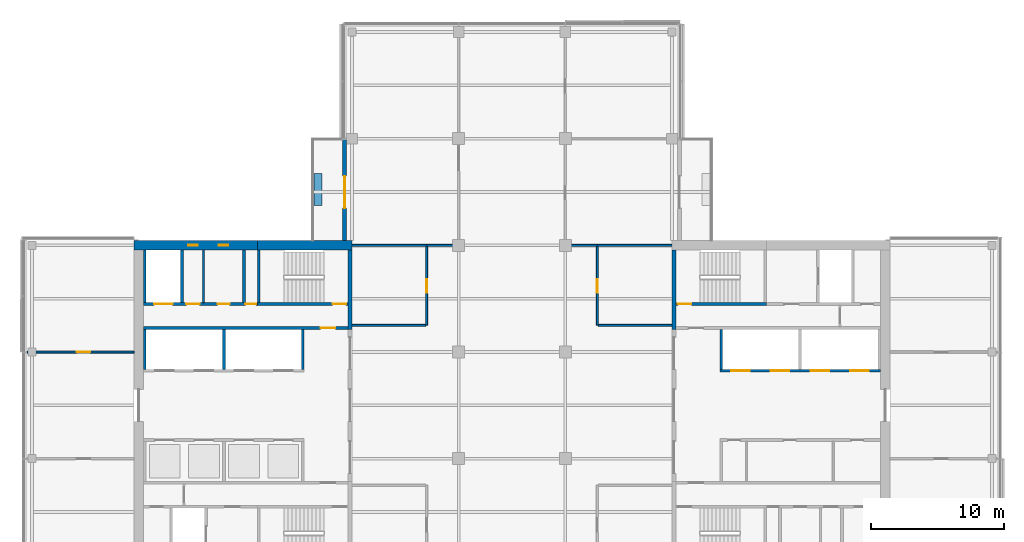
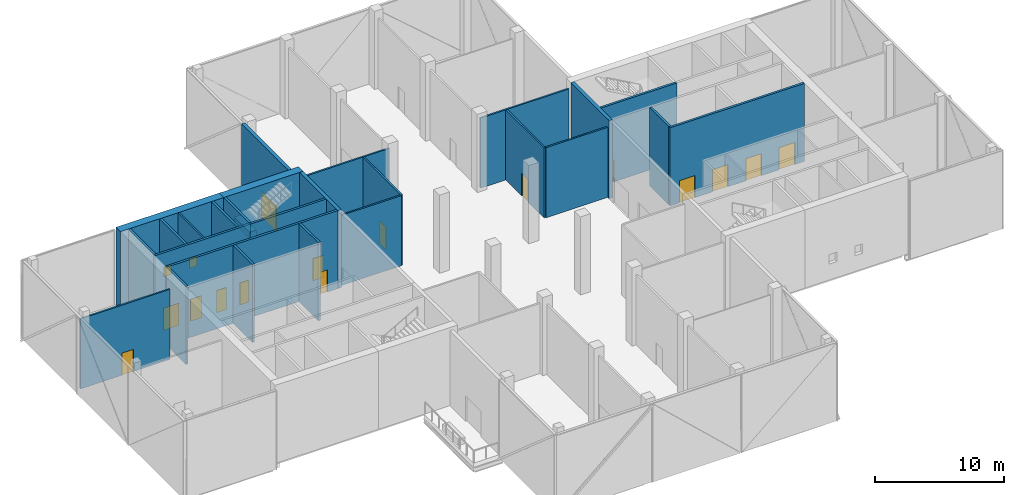
# One storey, part 12 of 20: 27 walls, 15 doors, 2 windows, 17 openings.
"""IFC4 building model written with IfcOpenShell, lengths in metres."""

from ifc_helpers import new_model, si_unit, direction, frame, frame_2d, origin, place, context, subcontext, project, spatial, rectangle, extrude, material, layer, layer_set, constituent, constituent_set, type_object, element, fill, save


model = new_model("IFC4")

# Units and contexts
model_context = context("Model", 3, precision=1e-05, world=origin(), true_north=direction((0.0, 1.0)))
body_context = subcontext(model_context, "Body", "Model", "MODEL_VIEW")
ifc_project = project(units=[si_unit("LENGTHUNIT", "METRE"), si_unit("AREAUNIT", "SQUARE_METRE"), si_unit("VOLUMEUNIT", "CUBIC_METRE"), si_unit("PLANEANGLEUNIT", "RADIAN"), si_unit("MASSUNIT", "GRAM", prefix="KILO")], contexts=[model_context])

# Site, building, storey
site_placement = place(None, origin())
site = spatial("IfcSite", under=ifc_project, at=site_placement, CompositionType="ELEMENT")
building_placement = place(site_placement, origin())
building = spatial("IfcBuilding", under=site, at=building_placement, Name="Crosswind Convention Tower", CompositionType="ELEMENT")
storey_placement = place(building_placement, frame((0.0, 0.0, 171.5)))
storey = spatial("IfcBuildingStorey", under=building, at=storey_placement, Name="L36", CompositionType="ELEMENT", Elevation=171.5)

# Walls
ifc_material_1 = material(Name="Concrete blockwork", Category="masonry")
ifc_layer_1 = layer(ifc_material_1, 0.199951171875)
ifc_layer_set_1 = layer_set([ifc_layer_1], Name="Blockwork partition wall 200")
wall_type_1 = type_object("IfcWallType", Name="Blockwork partition wall 200", PredefinedType="PARTITIONING", material=ifc_layer_set_1)
wall_1_placement = place(storey_placement, frame((104.89990234375, 111.64990234375, 0.0), z_axis=(0.0, 0.0, 1.0), x_axis=(0.0, -1.0, 0.0)))
element("IfcWall", 1, at=wall_1_placement, inside=storey, type_object=wall_type_1, Name="Wall MRSE W L36", PredefinedType="PARTITIONING", context=body_context, shape_type="SweptSolid", body=[
    extrude(rectangle(XDim=3.949951171875, YDim=0.199951171875, at=frame_2d((1.97509765625, 0.0))), origin(), (0.0, 0.0, 1.0), 7.39990234375),
])
ifc_material_2 = material(Name="Concrete C50/60", Category="concrete")
ifc_layer_2 = layer(ifc_material_2, 0.300048828125)
ifc_layer_set_2 = layer_set([ifc_layer_2], Name="Concrete C50/60")
wall_type_2 = type_object("IfcWallType", Name="Concrete inner core wall 300", PredefinedType="SHEAR", material=ifc_layer_set_2)
for number, where, z_axis, x_axis, name in (
    (2, (137.14990234375, 105.699951171875, 0.0), (0.0, 0.0, 1.0), (0.0, 1.0, 0.0), "Wall EP E L36"),
    (3, (112.85009765625, 111.64990234375, 0.0), (0.0, 0.0, 1.0), (0.0, -1.0, 0.0), "Wall EM W L36"),
):
    element("IfcWall", number, at=place(storey_placement, frame(where, z_axis=z_axis, x_axis=x_axis)), inside=storey, type_object=wall_type_2, Name=name, PredefinedType="SHEAR", context=body_context, shape_type="SweptSolid", body=[
        extrude(rectangle(XDim=5.949951171875, YDim=0.300048828125, at=frame_2d((2.97509765625, 0.0))), origin(), (0.0, 0.0, 1.0), 7.39990234375),
    ])
ifc_layer_3 = layer(ifc_material_2, 0.199951171875)
ifc_layer_set_3 = layer_set([ifc_layer_3], Name="Concrete C50/60")
wall_type_3 = type_object("IfcWallType", Name="Concrete shaft and stair wall 200", PredefinedType="SHEAR", material=ifc_layer_set_3)
wall_2_placement = place(storey_placement, frame((140.699951171875, 102.699951171875, 0.0), z_axis=(0.0, 0.0, 1.0), x_axis=(0.0, 1.0, 0.0)))
element("IfcWall", 4, at=wall_2_placement, inside=storey, type_object=wall_type_3, Name="Wall RPEND E L36", PredefinedType="SHEAR", context=body_context, shape_type="SweptSolid", body=[
    extrude(rectangle(XDim=3.0, YDim=0.199951171875, at=frame_2d((1.5, 0.0))), origin(), (0.0, 0.0, 1.0), 7.39990234375),
])

# Wall, openings, doors
wall_3_placement = place(storey_placement, frame((140.60009765625, 102.60009765625, 0.0), z_axis=(0.0, 0.0, 1.0), x_axis=(1.0, 0.0, 0.0)))
wall_3 = element("IfcWall", 5, at=wall_3_placement, inside=storey, type_object=wall_type_3, Name="Wall RPFRONT E L36", PredefinedType="SHEAR", context=body_context, shape_type="SweptSolid", body=[
    extrude(rectangle(XDim=12.0498046875, YDim=0.199951171875, at=frame_2d((6.02490234375, 0.0))), origin(), (0.0, 0.0, 1.0), 7.39990234375),
])
opening_1_placement = place(wall_3_placement, frame((0.85009765625, 0.0, 0.0)))
opening_1 = element("IfcOpeningElement", 6, at=opening_1_placement, cuts=wall_3, Name="Opening LD2", PredefinedType="OPENING", context=body_context, shape_type="SweptSolid", body=[
    extrude(rectangle(XDim=1.39990234375, YDim=2.10009765625, at=frame_2d((0.699951171875, 1.050048828125))), frame((0.0, 0.10986328125, 0.0), z_axis=(0.0, -1.0, 0.0), x_axis=(1.0, 0.0, 0.0)), (0.0, 0.0, 1.0), 0.219970703125),
])
opening_2_placement = place(wall_3_placement, frame((3.800048828125, 0.0, 0.0)))
opening_2 = element("IfcOpeningElement", 7, at=opening_2_placement, cuts=wall_3, Name="Opening LD2", PredefinedType="OPENING", context=body_context, shape_type="SweptSolid", body=[
    extrude(rectangle(XDim=1.39990234375, YDim=2.10009765625, at=frame_2d((0.699951171875, 1.050048828125))), frame((0.0, 0.10986328125, 0.0), z_axis=(0.0, -1.0, 0.0), x_axis=(1.0, 0.0, 0.0)), (0.0, 0.0, 1.0), 0.219970703125),
])
opening_3_placement = place(wall_3_placement, frame((6.800048828125, 0.0, 0.0)))
opening_3 = element("IfcOpeningElement", 8, at=opening_3_placement, cuts=wall_3, Name="Opening LD2", PredefinedType="OPENING", context=body_context, shape_type="SweptSolid", body=[
    extrude(rectangle(XDim=1.39990234375, YDim=2.10009765625, at=frame_2d((0.699951171875, 1.050048828125))), frame((0.0, 0.10986328125, 0.0), z_axis=(0.0, -1.0, 0.0), x_axis=(1.0, 0.0, 0.0)), (0.0, 0.0, 1.0), 0.219970703125),
])
opening_4_placement = place(wall_3_placement, frame((9.77490234375, 0.0, 0.0)))
opening_4 = element("IfcOpeningElement", 9, at=opening_4_placement, cuts=wall_3, Name="Opening LD2", PredefinedType="OPENING", context=body_context, shape_type="SweptSolid", body=[
    extrude(rectangle(XDim=1.39990234375, YDim=2.10009765625, at=frame_2d((0.699951171875, 1.050048828125))), frame((0.0, 0.10986328125, 0.0), z_axis=(0.0, -1.0, 0.0), x_axis=(1.0, 0.0, 0.0)), (0.0, 0.0, 1.0), 0.219970703125),
])
ifc_material_3 = material(Name="Stainless steel", Category="steel")
door_type_1 = type_object("IfcDoorType", Name="Lift landing door 1400x2100", OperationType="DOUBLE_DOOR_SLIDING", PredefinedType="DOOR", material=ifc_material_3)
door_1_placement = place(opening_1_placement, origin())
door_1 = element("IfcDoor", 10, at=door_1_placement, inside=storey, type_object=door_type_1, Name="Landing door A1 L36", ObjectType="LD2", OperationType="DOUBLE_DOOR_SLIDING", OverallHeight=2.10009765625, OverallWidth=1.39990234375, PredefinedType="DOOR", context=body_context, shape_type="SweptSolid", body=[
    extrude(rectangle(XDim=1.39990234375, YDim=2.10009765625, at=frame_2d((0.699951171875, 1.050048828125))), frame((0.0, 0.02490234375, 0.0), z_axis=(0.0, -1.0, 0.0), x_axis=(1.0, 0.0, 0.0)), (0.0, 0.0, 1.0), 0.050048828125),
])
fill(opening_1, door_1)
door_2_placement = place(opening_2_placement, origin())
door_2 = element("IfcDoor", 11, at=door_2_placement, inside=storey, type_object=door_type_1, Name="Landing door A2 L36", ObjectType="LD2", OperationType="DOUBLE_DOOR_SLIDING", OverallHeight=2.10009765625, OverallWidth=1.39990234375, PredefinedType="DOOR", context=body_context, shape_type="SweptSolid", body=[
    extrude(rectangle(XDim=1.39990234375, YDim=2.10009765625, at=frame_2d((0.699951171875, 1.050048828125))), frame((0.0, 0.02490234375, 0.0), z_axis=(0.0, -1.0, 0.0), x_axis=(1.0, 0.0, 0.0)), (0.0, 0.0, 1.0), 0.050048828125),
])
fill(opening_2, door_2)
door_3_placement = place(opening_3_placement, origin())
door_3 = element("IfcDoor", 12, at=door_3_placement, inside=storey, type_object=door_type_1, Name="Landing door A3 L36", ObjectType="LD2", OperationType="DOUBLE_DOOR_SLIDING", OverallHeight=2.10009765625, OverallWidth=1.39990234375, PredefinedType="DOOR", context=body_context, shape_type="SweptSolid", body=[
    extrude(rectangle(XDim=1.39990234375, YDim=2.10009765625, at=frame_2d((0.699951171875, 1.050048828125))), frame((0.0, 0.02490234375, 0.0), z_axis=(0.0, -1.0, 0.0), x_axis=(1.0, 0.0, 0.0)), (0.0, 0.0, 1.0), 0.050048828125),
])
fill(opening_3, door_3)
door_4_placement = place(opening_4_placement, origin())
door_4 = element("IfcDoor", 13, at=door_4_placement, inside=storey, type_object=door_type_1, Name="Landing door A4 L36", ObjectType="LD2", OperationType="DOUBLE_DOOR_SLIDING", OverallHeight=2.10009765625, OverallWidth=1.39990234375, PredefinedType="DOOR", context=body_context, shape_type="SweptSolid", body=[
    extrude(rectangle(XDim=1.39990234375, YDim=2.10009765625, at=frame_2d((0.699951171875, 1.050048828125))), frame((0.0, 0.02490234375, 0.0), z_axis=(0.0, -1.0, 0.0), x_axis=(1.0, 0.0, 0.0)), (0.0, 0.0, 1.0), 0.050048828125),
])
fill(opening_4, door_4)

# Wall, opening, door
wall_4_placement = place(storey_placement, frame((137.300048828125, 107.60009765625, 0.0), z_axis=(0.0, 0.0, 1.0), x_axis=(1.0, 0.0, 0.0)))
wall_4 = element("IfcWall", 14, at=wall_4_placement, inside=storey, type_object=wall_type_3, Name="Wall PCW E L36", PredefinedType="SHEAR", context=body_context, shape_type="SweptSolid", body=[
    extrude(rectangle(XDim=6.800048828125, YDim=0.199951171875, at=frame_2d((3.39990234375, 0.0))), origin(), (0.0, 0.0, 1.0), 7.39990234375),
])
opening_5_placement = place(wall_4_placement, frame((0.14990234375, 0.0, 0.0)))
opening_5 = element("IfcOpeningElement", 15, at=opening_5_placement, cuts=wall_4, Name="Opening D103", PredefinedType="OPENING", context=body_context, shape_type="SweptSolid", body=[
    extrude(rectangle(XDim=1.0, YDim=2.10009765625, at=frame_2d((0.5, 1.050048828125))), frame((0.0, 0.10986328125, 0.0), z_axis=(0.0, -1.0, 0.0), x_axis=(1.0, 0.0, 0.0)), (0.0, 0.0, 1.0), 0.219970703125),
])
ifc_material_4 = material(Name="Steel fire door", Category="steel")
door_type_2 = type_object("IfcDoorType", Name="Fire-rated single door 1000x2100", OperationType="NOTDEFINED", PredefinedType="DOOR", material=ifc_material_4)
door_5_placement = place(opening_5_placement, origin())
door_5 = element("IfcDoor", 16, at=door_5_placement, inside=storey, type_object=door_type_2, Name="Stair ST1 door L36", ObjectType="D103", OperationType="SINGLE_SWING_LEFT", OverallHeight=2.10009765625, OverallWidth=1.0, PredefinedType="DOOR", context=body_context, shape_type="SweptSolid", body=[
    extrude(rectangle(XDim=1.0, YDim=2.10009765625, at=frame_2d((0.5, 1.050048828125))), frame((0.0, 0.02490234375, 0.0), z_axis=(0.0, -1.0, 0.0), x_axis=(1.0, 0.0, 0.0)), (0.0, 0.0, 1.0), 0.050048828125),
])
fill(opening_5, door_5)

# Walls
for number, where, z_axis, x_axis, name in (
    (17, (109.300048828125, 105.699951171875, 0.0), (0.0, 0.0, 1.0), (0.0, -1.0, 0.0), "Wall RMEND W L36"),
    (18, (103.39990234375, 105.699951171875, 0.0), (0.0, 0.0, 1.0), (0.0, -1.0, 0.0), "Wall RMSEP W L36"),
    (19, (97.449951171875, 105.699951171875, 0.0), (0.0, 0.0, 1.0), (0.0, -1.0, 0.0), "Wall RMEAST W L36"),
):
    element("IfcWall", number, at=place(storey_placement, frame(where, z_axis=z_axis, x_axis=x_axis)), inside=storey, type_object=wall_type_3, Name=name, PredefinedType="SHEAR", context=body_context, shape_type="SweptSolid", body=[
        extrude(rectangle(XDim=3.0, YDim=0.199951171875, at=frame_2d((1.5, 0.0))), origin(), (0.0, 0.0, 1.0), 7.39990234375),
    ])

# Wall, opening, door
wall_5_placement = place(storey_placement, frame((112.699951171875, 105.800048828125, 0.0), z_axis=(0.0, 0.0, 1.0), x_axis=(-1.0, 0.0, 0.0)))
wall_5 = element("IfcWall", 20, at=wall_5_placement, inside=storey, type_object=wall_type_3, Name="Wall HM W L36", PredefinedType="SHEAR", context=body_context, shape_type="SweptSolid", body=[
    extrude(rectangle(XDim=15.349853515625, YDim=0.199951171875, at=frame_2d((7.6748046875, 0.0))), origin(), (0.0, 0.0, 1.0), 7.39990234375),
])
opening_6_placement = place(wall_5_placement, frame((0.949951171875, 0.0, 0.0)))
opening_6 = element("IfcOpeningElement", 21, at=opening_6_placement, cuts=wall_5, Name="Opening D104", PredefinedType="OPENING", context=body_context, shape_type="SweptSolid", body=[
    extrude(rectangle(XDim=1.10009765625, YDim=2.10009765625, at=frame_2d((0.550048828125, 1.050048828125))), frame((0.0, 0.10986328125, 0.0), z_axis=(0.0, -1.0, 0.0), x_axis=(1.0, 0.0, 0.0)), (0.0, 0.0, 1.0), 0.219970703125),
])
door_type_3 = type_object("IfcDoorType", Name="Fire-rated single door 1100x2100", OperationType="NOTDEFINED", PredefinedType="DOOR", material=ifc_material_4)
door_6_placement = place(opening_6_placement, origin())
door_6 = element("IfcDoor", 22, at=door_6_placement, inside=storey, type_object=door_type_3, Name="Corridor door L36", ObjectType="D104", OperationType="SINGLE_SWING_LEFT", OverallHeight=2.10009765625, OverallWidth=1.10009765625, PredefinedType="DOOR", context=body_context, shape_type="SweptSolid", body=[
    extrude(rectangle(XDim=1.10009765625, YDim=2.10009765625, at=frame_2d((0.550048828125, 1.050048828125))), frame((0.0, 0.02490234375, 0.0), z_axis=(0.0, -1.0, 0.0), x_axis=(1.0, 0.0, 0.0)), (0.0, 0.0, 1.0), 0.050048828125),
])
fill(opening_6, door_6)

# Walls
for number, where, z_axis, x_axis, name in (
    (23, (106.0, 111.64990234375, 0.0), (0.0, 0.0, 1.0), (0.0, -1.0, 0.0), "Wall MSE W L36"),
    (24, (100.25, 111.64990234375, 0.0), (0.0, 0.0, 1.0), (0.0, -1.0, 0.0), "Wall MFSW W L36"),
    (25, (97.449951171875, 111.64990234375, 0.0), (0.0, 0.0, 1.0), (0.0, -1.0, 0.0), "Wall MFSE W L36"),
):
    element("IfcWall", number, at=place(storey_placement, frame(where, z_axis=z_axis, x_axis=x_axis)), inside=storey, type_object=wall_type_3, Name=name, PredefinedType="SHEAR", context=body_context, shape_type="SweptSolid", body=[
        extrude(rectangle(XDim=3.949951171875, YDim=0.199951171875, at=frame_2d((1.97509765625, 0.0))), origin(), (0.0, 0.0, 1.0), 7.39990234375),
    ])

# Wall, opening, door
wall_6_placement = place(storey_placement, frame((112.699951171875, 107.60009765625, 0.0), z_axis=(0.0, 0.0, 1.0), x_axis=(-1.0, 0.0, 0.0)))
wall_6 = element("IfcWall", 26, at=wall_6_placement, inside=storey, type_object=wall_type_3, Name="Wall MCW W L36", PredefinedType="SHEAR", context=body_context, shape_type="SweptSolid", body=[
    extrude(rectangle(XDim=6.800048828125, YDim=0.199951171875, at=frame_2d((3.39990234375, 0.0))), origin(), (0.0, 0.0, 1.0), 7.39990234375),
])
opening_7_placement = place(wall_6_placement, frame((0.14990234375, 0.0, 0.0)))
opening_7 = element("IfcOpeningElement", 27, at=opening_7_placement, cuts=wall_6, Name="Opening D103", PredefinedType="OPENING", context=body_context, shape_type="SweptSolid", body=[
    extrude(rectangle(XDim=1.0, YDim=2.10009765625, at=frame_2d((0.5, 1.050048828125))), frame((0.0, 0.10986328125, 0.0), z_axis=(0.0, -1.0, 0.0), x_axis=(1.0, 0.0, 0.0)), (0.0, 0.0, 1.0), 0.219970703125),
])
door_7_placement = place(opening_7_placement, frame((1.0, 0.0, 0.0), z_axis=(0.0, 0.0, 1.0), x_axis=(-1.0, 0.0, 0.0)))
door_7 = element("IfcDoor", 28, at=door_7_placement, inside=storey, type_object=door_type_2, Name="Stair ST4 door L36", ObjectType="D103", OperationType="SINGLE_SWING_RIGHT", OverallHeight=2.10009765625, OverallWidth=1.0, PredefinedType="DOOR", context=body_context, shape_type="SweptSolid", body=[
    extrude(rectangle(XDim=1.0, YDim=2.10009765625, at=frame_2d((0.5, 1.050048828125))), frame((0.0, 0.02490234375, 0.0), z_axis=(0.0, -1.0, 0.0), x_axis=(1.0, 0.0, 0.0)), (0.0, 0.0, 1.0), 0.050048828125),
])
fill(opening_7, door_7)

# Wall, openings, doors
wall_7_placement = place(storey_placement, frame((105.89990234375, 107.60009765625, 0.0), z_axis=(0.0, 0.0, 1.0), x_axis=(-1.0, 0.0, 0.0)))
wall_7 = element("IfcWall", 29, at=wall_7_placement, inside=storey, type_object=wall_type_3, Name="Wall MCX W L36", PredefinedType="SHEAR", context=body_context, shape_type="SweptSolid", body=[
    extrude(rectangle(XDim=8.5498046875, YDim=0.199951171875, at=frame_2d((4.27490234375, 0.0))), origin(), (0.0, 0.0, 1.0), 7.39990234375),
])
opening_8_placement = place(wall_7_placement, frame((0.10009765625, 0.0, 0.0)))
opening_8 = element("IfcOpeningElement", 30, at=opening_8_placement, cuts=wall_7, Name="Opening D105", PredefinedType="OPENING", context=body_context, shape_type="SweptSolid", body=[
    extrude(rectangle(XDim=0.800048828125, YDim=2.10009765625, at=frame_2d((0.39990234375, 1.050048828125))), frame((0.0, 0.10986328125, 0.0), z_axis=(0.0, -1.0, 0.0), x_axis=(1.0, 0.0, 0.0)), (0.0, 0.0, 1.0), 0.219970703125),
])
opening_9_placement = place(wall_7_placement, frame((2.087158203125, 0.0, 0.0)))
opening_9 = element("IfcOpeningElement", 31, at=opening_9_placement, cuts=wall_7, Name="Opening D106", PredefinedType="OPENING", context=body_context, shape_type="SweptSolid", body=[
    extrude(rectangle(XDim=0.89990234375, YDim=2.10009765625, at=frame_2d((0.449951171875, 1.050048828125))), frame((0.0, 0.10986328125, 0.0), z_axis=(0.0, -1.0, 0.0), x_axis=(1.0, 0.0, 0.0)), (0.0, 0.0, 1.0), 0.219970703125),
])
opening_10_placement = place(wall_7_placement, frame((4.32470703125, 0.0, 0.0)))
opening_10 = element("IfcOpeningElement", 32, at=opening_10_placement, cuts=wall_7, Name="Opening D103", PredefinedType="OPENING", context=body_context, shape_type="SweptSolid", body=[
    extrude(rectangle(XDim=1.0, YDim=2.10009765625, at=frame_2d((0.5, 1.050048828125))), frame((0.0, 0.10986328125, 0.0), z_axis=(0.0, -1.0, 0.0), x_axis=(1.0, 0.0, 0.0)), (0.0, 0.0, 1.0), 0.219970703125),
])
opening_11_placement = place(wall_7_placement, frame((6.35009765625, 0.0, 0.0)))
opening_11 = element("IfcOpeningElement", 33, at=opening_11_placement, cuts=wall_7, Name="Opening LD2", PredefinedType="OPENING", context=body_context, shape_type="SweptSolid", body=[
    extrude(rectangle(XDim=1.39990234375, YDim=2.10009765625, at=frame_2d((0.699951171875, 1.050048828125))), frame((0.0, 0.10986328125, 0.0), z_axis=(0.0, -1.0, 0.0), x_axis=(1.0, 0.0, 0.0)), (0.0, 0.0, 1.0), 0.219970703125),
])
door_8_placement = place(opening_10_placement, frame((1.0, 0.0, 0.0), z_axis=(0.0, 0.0, 1.0), x_axis=(-1.0, 0.0, 0.0)))
door_8 = element("IfcDoor", 34, at=door_8_placement, inside=storey, type_object=door_type_2, Name="Door to accessible wc L36", ObjectType="D103", OperationType="SINGLE_SWING_LEFT", OverallHeight=2.10009765625, OverallWidth=1.0, PredefinedType="DOOR", context=body_context, shape_type="SweptSolid", body=[
    extrude(rectangle(XDim=1.0, YDim=2.10009765625, at=frame_2d((0.5, 1.050048828125))), frame((0.0, 0.02490234375, 0.0), z_axis=(0.0, -1.0, 0.0), x_axis=(1.0, 0.0, 0.0)), (0.0, 0.0, 1.0), 0.050048828125),
])
fill(opening_10, door_8)
door_9_placement = place(opening_11_placement, origin())
door_9 = element("IfcDoor", 35, at=door_9_placement, inside=storey, type_object=door_type_1, Name="Landing door SV2 L36", ObjectType="LD2", OperationType="DOUBLE_DOOR_SLIDING", OverallHeight=2.10009765625, OverallWidth=1.39990234375, PredefinedType="DOOR", context=body_context, shape_type="SweptSolid", body=[
    extrude(rectangle(XDim=1.39990234375, YDim=2.10009765625, at=frame_2d((0.699951171875, 1.050048828125))), frame((0.0, 0.02490234375, 0.0), z_axis=(0.0, -1.0, 0.0), x_axis=(1.0, 0.0, 0.0)), (0.0, 0.0, 1.0), 0.050048828125),
])
fill(opening_11, door_9)
door_type_4 = type_object("IfcDoorType", Name="Riser access door 800x2100", OperationType="NOTDEFINED", PredefinedType="DOOR", material=ifc_material_4)
door_10_placement = place(opening_8_placement, frame((0.800048828125, 0.0, 0.0), z_axis=(0.0, 0.0, 1.0), x_axis=(-1.0, 0.0, 0.0)))
door_10 = element("IfcDoor", 36, at=door_10_placement, inside=storey, type_object=door_type_4, Name="Riser door L36", ObjectType="D105", OperationType="SINGLE_SWING_LEFT", OverallHeight=2.10009765625, OverallWidth=0.800048828125, PredefinedType="DOOR", context=body_context, shape_type="SweptSolid", body=[
    extrude(rectangle(XDim=0.800048828125, YDim=2.10009765625, at=frame_2d((0.39990234375, 1.050048828125))), frame((0.0, 0.02490234375, 0.0), z_axis=(0.0, -1.0, 0.0), x_axis=(1.0, 0.0, 0.0)), (0.0, 0.0, 1.0), 0.050048828125),
])
fill(opening_8, door_10)
ifc_material_5 = material(Name="Timber door", Category="wood")
door_type_5 = type_object("IfcDoorType", Name="Single leaf door 900x2100", OperationType="NOTDEFINED", PredefinedType="DOOR", material=ifc_material_5)
door_11_placement = place(opening_9_placement, frame((0.89990234375, 0.0, 0.0), z_axis=(0.0, 0.0, 1.0), x_axis=(-1.0, 0.0, 0.0)))
door_11 = element("IfcDoor", 37, at=door_11_placement, inside=storey, type_object=door_type_5, Name="Door to wc L36", ObjectType="D106", OperationType="SINGLE_SWING_LEFT", OverallHeight=2.10009765625, OverallWidth=0.89990234375, PredefinedType="DOOR", context=body_context, shape_type="SweptSolid", body=[
    extrude(rectangle(XDim=0.89990234375, YDim=2.10009765625, at=frame_2d((0.449951171875, 1.050048828125))), frame((0.0, 0.02490234375, 0.0), z_axis=(0.0, -1.0, 0.0), x_axis=(1.0, 0.0, 0.0)), (0.0, 0.0, 1.0), 0.050048828125),
])
fill(opening_9, door_11)

# Walls
ifc_material_6 = material(Name="Gypsum plasterboard partition", Category="gypsum")
ifc_layer_4 = layer(ifc_material_6, 0.125)
ifc_layer_set_4 = layer_set([ifc_layer_4], Name="Drywall partition wall 125")
wall_type_4 = type_object("IfcWallType", Name="Drywall partition wall 125", PredefinedType="PARTITIONING", material=ifc_layer_set_4)
wall_8_placement = place(storey_placement, frame((101.863037109375, 111.64990234375, 0.0), z_axis=(0.0, 0.0, 1.0), x_axis=(0.0, -1.0, 0.0)))
element("IfcWall", 38, at=wall_8_placement, inside=storey, type_object=wall_type_4, Name="Wall MWP1 W L36", PredefinedType="PARTITIONING", context=body_context, shape_type="SweptSolid", body=[
    extrude(rectangle(XDim=3.949951171875, YDim=0.125, at=frame_2d((1.97509765625, 0.0))), origin(), (0.0, 0.0, 1.0), 7.39990234375),
])
ifc_material_7 = material(Name="Concrete C30/37", Category="concrete")
ifc_layer_5 = layer(ifc_material_7, 0.60009765625)
ifc_layer_set_5 = layer_set([ifc_layer_5], Name="Concrete C30/37")
wall_type_5 = type_object("IfcWallType", Name="PLANTER BOX WALL 600", PredefinedType="SOLIDWALL", material=ifc_layer_set_5)
wall_9_placement = place(storey_placement, frame((110.449951171875, 117.375, 0.0), z_axis=(0.0, 0.0, 1.0), x_axis=(0.0, -1.0, 0.0)))
element("IfcWall", 39, at=wall_9_placement, inside=storey, type_object=wall_type_5, Name="PLANTER L36 N-W.1-2", PredefinedType="SOLIDWALL", context=body_context, shape_type="SweptSolid", body=[
    extrude(rectangle(XDim=2.39990234375, YDim=0.60009765625, at=frame_2d((1.199951171875, 0.0))), origin(), (0.0, 0.0, 1.0), 0.60009765625),
])

# Wall, opening, door
ifc_material_8 = material(Name="Fire-board partition with mineral wool", Category="gypsum")
ifc_layer_6 = layer(ifc_material_8, 0.14990234375)
ifc_layer_set_6 = layer_set([ifc_layer_6], Name="TENANCY WALL 150 TWO-HOUR BOARD")
wall_type_6 = type_object("IfcWallType", Name="TENANCY WALL 150 TWO-HOUR BOARD", PredefinedType="PARTITIONING", material=ifc_layer_set_6)
wall_10_placement = place(storey_placement, frame((118.60009765625, 106.0, 0.0), z_axis=(0.0, 0.0, 1.0), x_axis=(0.0, 1.0, 0.0)))
wall_10 = element("IfcWall", 40, at=wall_10_placement, inside=storey, type_object=wall_type_6, Name="Tenancy wall WT41", PredefinedType="PARTITIONING", context=body_context, shape_type="SweptSolid", body=[
    extrude(rectangle(XDim=5.925048828125, YDim=0.14990234375, at=frame_2d((2.96240234375, 0.0))), origin(), (0.0, 0.0, 1.0), 6.639892578125),
])
opening_12_placement = place(wall_10_placement, frame((2.449951171875, 0.0, 0.0)))
opening_12 = element("IfcOpeningElement", 41, at=opening_12_placement, cuts=wall_10, Name="Opening L36-56", PredefinedType="OPENING", context=body_context, shape_type="SweptSolid", body=[
    extrude(rectangle(XDim=1.0, YDim=2.10009765625, at=frame_2d((0.5, 1.050048828125))), frame((0.0, 0.0849609375, 0.0), z_axis=(0.0, -1.0, 0.0), x_axis=(1.0, 0.0, 0.0)), (0.0, 0.0, 1.0), 0.169921875),
])
ifc_material_9 = material(Name="Timber fire door", Category="wood")
door_type_6 = type_object("IfcDoorType", Name="TENANCY ENTRANCE DOOR 1000X2100 FD30S", OperationType="NOTDEFINED", PredefinedType="DOOR", material=ifc_material_9)
door_12_placement = place(opening_12_placement, origin())
door_12 = element("IfcDoor", 42, at=door_12_placement, inside=storey, type_object=door_type_6, Name="Door L36-56", ObjectType="D41", OperationType="SINGLE_SWING_LEFT", OverallHeight=2.10009765625, OverallWidth=1.0, PredefinedType="DOOR", context=body_context, shape_type="SweptSolid", body=[
    extrude(rectangle(XDim=1.0, YDim=2.10009765625, at=frame_2d((0.5, 1.050048828125))), frame((0.0, 0.02490234375, 0.0), z_axis=(0.0, -1.0, 0.0), x_axis=(1.0, 0.0, 0.0)), (0.0, 0.0, 1.0), 0.050048828125),
])
fill(opening_12, door_12)

wall_11_placement = place(storey_placement, frame((131.39990234375, 106.0, 0.0), z_axis=(0.0, 0.0, 1.0), x_axis=(0.0, 1.0, 0.0)))
wall_11 = element("IfcWall", 43, at=wall_11_placement, inside=storey, type_object=wall_type_6, Name="Tenancy wall WT41", PredefinedType="PARTITIONING", context=body_context, shape_type="SweptSolid", body=[
    extrude(rectangle(XDim=5.925048828125, YDim=0.14990234375, at=frame_2d((2.96240234375, 0.0))), origin(), (0.0, 0.0, 1.0), 6.639892578125),
])
opening_13_placement = place(wall_11_placement, frame((2.449951171875, 0.0, 0.0)))
opening_13 = element("IfcOpeningElement", 44, at=opening_13_placement, cuts=wall_11, Name="Opening L36-58", PredefinedType="OPENING", context=body_context, shape_type="SweptSolid", body=[
    extrude(rectangle(XDim=1.0, YDim=2.10009765625, at=frame_2d((0.5, 1.050048828125))), frame((0.0, 0.0849609375, 0.0), z_axis=(0.0, -1.0, 0.0), x_axis=(1.0, 0.0, 0.0)), (0.0, 0.0, 1.0), 0.169921875),
])
door_13_placement = place(opening_13_placement, frame((1.0, 0.0, 0.0), z_axis=(0.0, 0.0, 1.0), x_axis=(-1.0, 0.0, 0.0)))
door_13 = element("IfcDoor", 45, at=door_13_placement, inside=storey, type_object=door_type_6, Name="Door L36-58", ObjectType="D41", OperationType="SINGLE_SWING_RIGHT", OverallHeight=2.10009765625, OverallWidth=1.0, PredefinedType="DOOR", context=body_context, shape_type="SweptSolid", body=[
    extrude(rectangle(XDim=1.0, YDim=2.10009765625, at=frame_2d((0.5, 1.050048828125))), frame((0.0, 0.02490234375, 0.0), z_axis=(0.0, -1.0, 0.0), x_axis=(1.0, 0.0, 0.0)), (0.0, 0.0, 1.0), 0.050048828125),
])
fill(opening_13, door_13)

wall_12_placement = place(storey_placement, frame((88.6298828125, 104.0, 0.0), z_axis=(0.0, 0.0, 1.0), x_axis=(1.0, 0.0, 0.0)))
wall_12 = element("IfcWall", 46, at=wall_12_placement, inside=storey, type_object=wall_type_6, Name="Tenancy wall WT41", PredefinedType="PARTITIONING", context=body_context, shape_type="SweptSolid", body=[
    extrude(rectangle(XDim=8.02001953125, YDim=0.14990234375, at=frame_2d((4.010009765625, 0.0))), origin(), (0.0, 0.0, 1.0), 6.639892578125),
])
opening_14_placement = place(wall_12_placement, frame((3.719970703125, 0.0, 0.0)))
opening_14 = element("IfcOpeningElement", 47, at=opening_14_placement, cuts=wall_12, Name="Opening L36-62", PredefinedType="OPENING", context=body_context, shape_type="SweptSolid", body=[
    extrude(rectangle(XDim=1.0, YDim=2.10009765625, at=frame_2d((0.5, 1.050048828125))), frame((0.0, 0.0849609375, 0.0), z_axis=(0.0, -1.0, 0.0), x_axis=(1.0, 0.0, 0.0)), (0.0, 0.0, 1.0), 0.169921875),
])
door_14_placement = place(opening_14_placement, origin())
door_14 = element("IfcDoor", 48, at=door_14_placement, inside=storey, type_object=door_type_6, Name="Door L36-62", ObjectType="D41", OperationType="SINGLE_SWING_LEFT", OverallHeight=2.10009765625, OverallWidth=1.0, PredefinedType="DOOR", context=body_context, shape_type="SweptSolid", body=[
    extrude(rectangle(XDim=1.0, YDim=2.10009765625, at=frame_2d((0.5, 1.050048828125))), frame((0.0, 0.02490234375, 0.0), z_axis=(0.0, -1.0, 0.0), x_axis=(1.0, 0.0, 0.0)), (0.0, 0.0, 1.0), 0.050048828125),
])
fill(opening_14, door_14)

# Walls
for number, where, z_axis, x_axis, name in (
    (49, (113.0, 106.0, 0.0), (0.0, 0.0, 1.0), (1.0, 0.0, 0.0), "Tenancy wall WT41"),
    (50, (131.47509765625, 106.0, 0.0), (0.0, 0.0, 1.0), (1.0, 0.0, 0.0), "Tenancy wall WT41"),
):
    element("IfcWall", number, at=place(storey_placement, frame(where, z_axis=z_axis, x_axis=x_axis)), inside=storey, type_object=wall_type_6, Name=name, PredefinedType="PARTITIONING", context=body_context, shape_type="SweptSolid", body=[
        extrude(rectangle(XDim=5.52490234375, YDim=0.14990234375, at=frame_2d((2.762451171875, 0.0))), origin(), (0.0, 0.0, 1.0), 6.639892578125),
    ])
for number, where, z_axis, x_axis, name in (
    (51, (113.0, 112.0, 0.0), (0.0, 0.0, 1.0), (1.0, 0.0, 0.0), "Tenancy wall WT41"),
    (52, (129.074951171875, 112.0, 0.0), (0.0, 0.0, 1.0), (1.0, 0.0, 0.0), "Tenancy wall WT41"),
):
    element("IfcWall", number, at=place(storey_placement, frame(where, z_axis=z_axis, x_axis=x_axis)), inside=storey, type_object=wall_type_6, Name=name, PredefinedType="PARTITIONING", context=body_context, shape_type="SweptSolid", body=[
        extrude(rectangle(XDim=7.925048828125, YDim=0.14990234375, at=frame_2d((3.96240234375, 0.0))), origin(), (0.0, 0.0, 1.0), 6.639892578125),
    ])

# Wall, opening, door
ifc_material_10 = material(Name="Terracotta rainscreen", Category="ceramic")
ifc_layer_7 = layer(ifc_material_10, 0.02001953125)
ifc_material_11 = material(Name="Mineral wool insulation", Category="insulation")
ifc_layer_8 = layer(ifc_material_11, 0.10009765625)
ifc_layer_9 = layer(ifc_material_1, 0.179931640625)
ifc_layer_set_7 = layer_set([ifc_layer_7, ifc_layer_8, ifc_layer_9], Name="TERRACOTTA INFILL WALL 300")
wall_type_7 = type_object("IfcWallType", Name="TERRACOTTA INFILL WALL 300", PredefinedType="SOLIDWALL", material=ifc_layer_set_7)
wall_13_placement = place(storey_placement, frame((112.449951171875, 119.96240234375, 0.0), z_axis=(0.0, 0.0, 1.0), x_axis=(0.0, -1.0, 0.0)))
wall_13 = element("IfcWall", 53, at=wall_13_placement, inside=storey, type_object=wall_type_7, Name="Notch front wall L36 N-W.1-2", PredefinedType="SOLIDWALL", context=body_context, shape_type="SweptSolid", body=[
    extrude(rectangle(XDim=7.6123046875, YDim=0.300048828125, at=frame_2d((3.80615234375, 0.0))), origin(), (0.0, 0.0, 1.0), 7.10009765625),
])
opening_15_placement = place(wall_13_placement, frame((2.762451171875, 0.0, 0.0)))
opening_15 = element("IfcOpeningElement", 54, at=opening_15_placement, cuts=wall_13, Name="Opening D143", PredefinedType="OPENING", context=body_context, shape_type="SweptSolid", body=[
    extrude(rectangle(XDim=2.39990234375, YDim=2.39990234375, at=frame_2d((1.199951171875, 1.199951171875))), frame((0.0, 0.159912109375, 0.0), z_axis=(0.0, -1.0, 0.0), x_axis=(1.0, 0.0, 0.0)), (0.0, 0.0, 1.0), 0.320068359375),
])
ifc_material_12 = material(Name="Aluminium glazed door", Category="aluminium")
door_type_7 = type_object("IfcDoorType", Name="WINTER GARDEN SLIDING DOOR 2400X2400", OperationType="SLIDING_TO_LEFT", PredefinedType="DOOR", material=ifc_material_12)
door_15_placement = place(opening_15_placement, frame((2.39990234375, 0.0, 0.0), z_axis=(0.0, 0.0, 1.0), x_axis=(-1.0, 0.0, 0.0)))
door_15 = element("IfcDoor", 55, at=door_15_placement, inside=storey, type_object=door_type_7, Name="D143 winter garden door L36 N-W.1-2", ObjectType="D143", OperationType="SLIDING_TO_LEFT", OverallHeight=2.39990234375, OverallWidth=2.39990234375, PredefinedType="DOOR", context=body_context, shape_type="SweptSolid", body=[
    extrude(rectangle(XDim=2.39990234375, YDim=2.39990234375, at=frame_2d((1.199951171875, 1.199951171875))), frame((0.0, 0.02490234375, 0.0), z_axis=(0.0, -1.0, 0.0), x_axis=(1.0, 0.0, 0.0)), (0.0, 0.0, 1.0), 0.050048828125),
])
fill(opening_15, door_15)

# Wall
ifc_material_13 = material(Name="Concrete C60/75", Category="concrete")
ifc_constituent_1 = constituent(ifc_material_13, Name="Structure")
ifc_constituent_2 = constituent(ifc_material_10, Name="Facing")
ifc_constituent_set = constituent_set(constituents=[ifc_constituent_1, ifc_constituent_2], Name="Concrete C60/75, Terracotta rainscreen")
wall_type_8 = type_object("IfcWallType", Name="Terracotta rainscreen on concrete core wall 700", PredefinedType="SHEAR", material=ifc_constituent_set)
wall_14_placement = place(storey_placement, frame((113.0, 112.0, 0.0), z_axis=(0.0, 0.0, 1.0), x_axis=(-1.0, 0.0, 0.0)))
element("IfcWall", 56, at=wall_14_placement, inside=storey, type_object=wall_type_8, Name="Wall S1 W L36", PredefinedType="SHEAR", context=body_context, shape_type="SweptSolid", body=[
    extrude(rectangle(XDim=7.10009765625, YDim=0.699951171875, at=frame_2d((3.550048828125, 0.0))), origin(), (0.0, 0.0, 1.0), 7.39990234375),
])

# Wall, openings, windows
wall_15_placement = place(storey_placement, frame((105.89990234375, 112.0, 0.0), z_axis=(0.0, 0.0, 1.0), x_axis=(-1.0, 0.0, 0.0)))
wall_15 = element("IfcWall", 57, at=wall_15_placement, inside=storey, type_object=wall_type_8, Name="Wall S2 W L36", PredefinedType="SHEAR", context=body_context, shape_type="SweptSolid", body=[
    extrude(rectangle(XDim=9.25, YDim=0.699951171875, at=frame_2d((4.625, 0.0))), origin(), (0.0, 0.0, 1.0), 7.39990234375),
])
opening_16_placement = place(wall_15_placement, frame((2.187255859375, 0.0, 1.5)))
opening_16 = element("IfcOpeningElement", 58, at=opening_16_placement, cuts=wall_15, Name="Opening W2", PredefinedType="OPENING", context=body_context, shape_type="SweptSolid", body=[
    extrude(rectangle(XDim=0.699951171875, YDim=0.89990234375, at=frame_2d((0.35009765625, 0.449951171875))), frame((0.0, 0.35986328125, 0.0), z_axis=(0.0, -1.0, 0.0), x_axis=(1.0, 0.0, 0.0)), (0.0, 0.0, 1.0), 0.719970703125),
])
opening_17_placement = place(wall_15_placement, frame((4.474853515625, 0.0, 1.5)))
opening_17 = element("IfcOpeningElement", 59, at=opening_17_placement, cuts=wall_15, Name="Opening W2", PredefinedType="OPENING", context=body_context, shape_type="SweptSolid", body=[
    extrude(rectangle(XDim=0.699951171875, YDim=0.89990234375, at=frame_2d((0.35009765625, 0.449951171875))), frame((0.0, 0.35986328125, 0.0), z_axis=(0.0, -1.0, 0.0), x_axis=(1.0, 0.0, 0.0)), (0.0, 0.0, 1.0), 0.719970703125),
])
ifc_material_14 = material(Name="Obscure glass in aluminium frame", Category="aluminium")
window_type = type_object("IfcWindowType", Name="WC window 700x900", PartitioningType="SINGLE_PANEL", PredefinedType="WINDOW", material=ifc_material_14)
window_1_placement = place(opening_16_placement, origin())
window_1 = element("IfcWindow", 60, at=window_1_placement, inside=storey, type_object=window_type, Name="WC window L36", ObjectType="W2", OverallHeight=0.89990234375, OverallWidth=0.699951171875, PartitioningType="SINGLE_PANEL", PredefinedType="WINDOW", context=body_context, shape_type="SweptSolid", body=[
    extrude(rectangle(XDim=0.699951171875, YDim=0.89990234375, at=frame_2d((0.35009765625, 0.449951171875))), frame((0.0, 0.030029296875, 0.0), z_axis=(0.0, -1.0, 0.0), x_axis=(1.0, 0.0, 0.0)), (0.0, 0.0, 1.0), 0.06005859375),
])
fill(opening_16, window_1)
window_2_placement = place(opening_17_placement, origin())
window_2 = element("IfcWindow", 61, at=window_2_placement, inside=storey, type_object=window_type, Name="WC window L36", ObjectType="W2", OverallHeight=0.89990234375, OverallWidth=0.699951171875, PartitioningType="SINGLE_PANEL", PredefinedType="WINDOW", context=body_context, shape_type="SweptSolid", body=[
    extrude(rectangle(XDim=0.699951171875, YDim=0.89990234375, at=frame_2d((0.35009765625, 0.449951171875))), frame((0.0, 0.030029296875, 0.0), z_axis=(0.0, -1.0, 0.0), x_axis=(1.0, 0.0, 0.0)), (0.0, 0.0, 1.0), 0.06005859375),
])
fill(opening_17, window_2)

save(model, "model.ifc")
